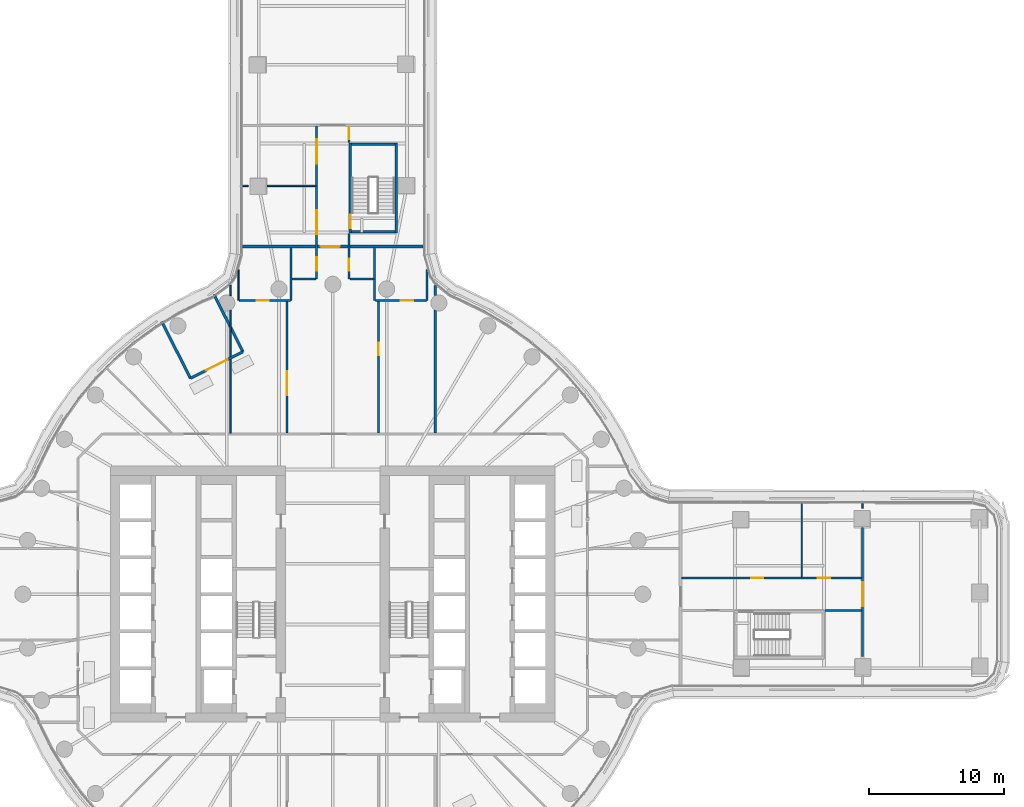
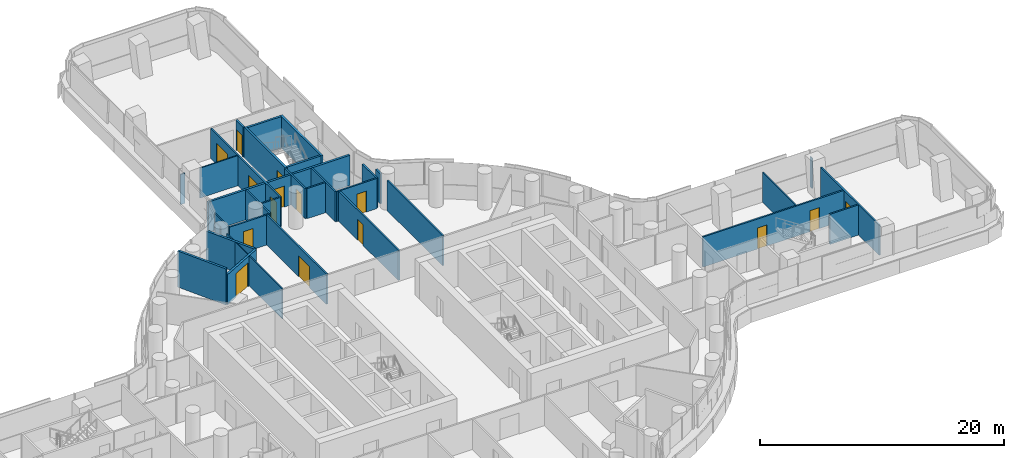
# One storey, part 23 of 32: 32 walls, 15 doors, 15 openings.
"""IFC4 building model written with IfcOpenShell, lengths in metres."""

from ifc_helpers import new_model, si_unit, direction, frame, frame_2d, origin, place, context, subcontext, project, spatial, polyline, rectangle, outline, extrude, material, layer, layer_set, type_object, element, fill, save


model = new_model("IFC4")

# Units and contexts
model_context = context("Model", 3, precision=1e-05, world=origin(), true_north=direction((0.0, 1.0)))
body_context = subcontext(model_context, "Body", "Model", "MODEL_VIEW")
ifc_project = project(units=[si_unit("LENGTHUNIT", "METRE"), si_unit("AREAUNIT", "SQUARE_METRE"), si_unit("VOLUMEUNIT", "CUBIC_METRE"), si_unit("PLANEANGLEUNIT", "RADIAN"), si_unit("MASSUNIT", "GRAM", prefix="KILO")], contexts=[model_context])

# Site, building, storey
site_placement = place(None, origin())
site = spatial("IfcSite", under=ifc_project, at=site_placement, CompositionType="ELEMENT")
building_placement = place(site_placement, origin())
building = spatial("IfcBuilding", under=site, at=building_placement, Name="Tamarind Cross Interchange Tower", CompositionType="ELEMENT")
storey_placement = place(building_placement, frame((0.0, 0.0, 34.0)))
storey = spatial("IfcBuildingStorey", under=building, at=storey_placement, Name="L06", CompositionType="ELEMENT", Elevation=34.0)

# Wall, opening, door
ifc_material_1 = material(Name="Concrete C40", Category="concrete")
ifc_layer_1 = layer(ifc_material_1, 0.199951171875)
ifc_layer_set_1 = layer_set([ifc_layer_1], Name="Concrete C40")
wall_type_1 = type_object("IfcWallType", Name="Balcony and garden door wall", PredefinedType="SOLIDWALL", material=ifc_layer_set_1)
wall_1_placement = place(storey_placement, frame((-6.669677734375, 17.99365234375, 0.0), z_axis=(0.0, 0.0, 1.0), x_axis=(-0.892213621069, -0.451613611818, 0.0)))
wall_1 = element("IfcWall", 1, at=wall_1_placement, inside=storey, type_object=wall_type_1, Name="EXW-L06-WG-L06-NW", PredefinedType="SOLIDWALL", context=body_context, shape_type="SweptSolid", body=[
    extrude(rectangle(XDim=4.366943359375, YDim=0.199951171875, at=frame_2d((2.18359375, 0.0))), origin(), (0.0, 0.0, 1.0), 3.013916015625),
])
opening_1_placement = place(wall_1_placement, frame((1.283447265625, 0.0, 0.0)))
opening_1 = element("IfcOpeningElement", 2, at=opening_1_placement, cuts=wall_1, Name="Opening D5", PredefinedType="OPENING", context=body_context, shape_type="SweptSolid", body=[
    extrude(rectangle(XDim=1.800048828125, YDim=2.39990234375, at=frame_2d((0.89990234375, 1.199951171875))), frame((0.0, 0.10986328125, 0.0), z_axis=(0.0, -1.0, 0.0), x_axis=(1.0, 0.0, 0.0)), (0.0, 0.0, 1.0), 0.219970703125),
])
ifc_material_2 = material(Name="Aluminium and toughened glass", Category="aluminium")
door_type_1 = type_object("IfcDoorType", Name="Roof garden door", OperationType="DOUBLE_DOOR_SINGLE_SWING", PredefinedType="DOOR", material=ifc_material_2)
door_1_placement = place(opening_1_placement, origin())
door_1 = element("IfcDoor", 3, at=door_1_placement, inside=storey, type_object=door_type_1, Name="DOR-L06-WG-L06-NW", OperationType="SINGLE_SWING_LEFT", OverallHeight=2.39990234375, OverallWidth=1.800048828125, PredefinedType="DOOR", context=body_context, shape_type="SweptSolid", body=[
    extrude(rectangle(XDim=1.800048828125, YDim=2.39990234375, at=frame_2d((0.89990234375, 1.199951171875))), frame((0.0, 0.02490234375, 0.0), z_axis=(0.0, -1.0, 0.0), x_axis=(1.0, 0.0, 0.0)), (0.0, 0.0, 1.0), 0.050048828125),
])
fill(opening_1, door_1)

# Walls
wall_2_placement = place(storey_placement, frame((-6.66943359375, 17.99365234375, 0.0), z_axis=(0.0, 0.0, 1.0), x_axis=(-0.451625718362, 0.892207492971, 0.0)))
element("IfcWall", 4, at=wall_2_placement, inside=storey, type_object=wall_type_1, Name="EXW-L06-WG-L06-NW-R0", PredefinedType="SOLIDWALL", context=body_context, shape_type="SweptSolid", body=[
    extrude(rectangle(XDim=4.77490234375, YDim=0.199951171875, at=frame_2d((2.387451171875, 0.0))), origin(), (0.0, 0.0, 1.0), 3.013916015625),
])
wall_3_placement = place(storey_placement, frame((-10.56591796875, 16.021484375, 0.0), z_axis=(0.0, 0.0, 1.0), x_axis=(-0.451621797864, 0.892209477474, 0.0)))
element("IfcWall", 5, at=wall_3_placement, inside=storey, type_object=wall_type_1, Name="EXW-L06-WG-L06-NW-R1", PredefinedType="SOLIDWALL", context=body_context, shape_type="SweptSolid", body=[
    extrude(rectangle(XDim=4.712890625, YDim=0.199951171875, at=frame_2d((2.3564453125, 0.0))), origin(), (0.0, 0.0, 1.0), 3.610107421875),
])
ifc_material_3 = material(Name="Gypsum board partition on steel studs", Category="steel")
ifc_layer_2 = layer(ifc_material_3, 0.10009765625)
ifc_layer_set_2 = layer_set([ifc_layer_2], Name="Gypsum board partition on steel studs")
wall_type_2 = type_object("IfcWallType", Name="Partition 100 mm EI 90", PredefinedType="PARTITIONING", material=ifc_layer_set_2)
wall_4_placement = place(storey_placement, frame((-6.698974609375, 30.300048828125, 0.0), z_axis=(0.0, 0.0, 1.0), x_axis=(1.0, 0.0, 0.0)))
element("IfcWall", 6, at=wall_4_placement, inside=storey, type_object=wall_type_2, Name="Partition L06-034", PredefinedType="PARTITIONING", context=body_context, shape_type="SweptSolid", body=[
    extrude(rectangle(XDim=0.407470703125, YDim=0.10009765625, at=frame_2d((0.20361328125, 0.0))), origin(), (0.0, 0.0, 1.0), 3.010009765625),
])
wall_5_placement = place(storey_placement, frame((-4.85888671875, 30.300048828125, 0.0), z_axis=(0.0, 0.0, 1.0), x_axis=(1.0, 0.0, 0.0)))
element("IfcWall", 7, at=wall_5_placement, inside=storey, type_object=wall_type_2, Name="Partition L06-035", PredefinedType="PARTITIONING", context=body_context, shape_type="SweptSolid", body=[
    extrude(rectangle(XDim=3.598876953125, YDim=0.10009765625, at=frame_2d((1.79931640625, 0.0))), origin(), (0.0, 0.0, 1.0), 3.010009765625),
])
wall_6_placement = place(storey_placement, frame((-7.60009765625, 11.955078125, 0.0), z_axis=(0.0, 0.0, 1.0), x_axis=(0.0, 1.0, 0.0)))
element("IfcWall", 8, at=wall_6_placement, inside=storey, type_object=wall_type_2, Name="Partition L06-054", PredefinedType="PARTITIONING", context=body_context, shape_type="SweptSolid", body=[
    extrude(rectangle(XDim=9.119140625, YDim=0.10009765625, at=frame_2d((4.5595703125, 0.0))), origin(), (0.0, 0.0, 1.0), 3.010009765625),
])
wall_7_placement = place(storey_placement, frame((-7.60009765625, 22.151611328125, 0.0), z_axis=(0.0, 0.0, 1.0), x_axis=(0.0, 1.0, 0.0)))
element("IfcWall", 9, at=wall_7_placement, inside=storey, type_object=wall_type_2, Name="Partition L06-055", PredefinedType="PARTITIONING", context=body_context, shape_type="SweptSolid", body=[
    extrude(rectangle(XDim=0.770263671875, YDim=0.10009765625, at=frame_2d((0.38525390625, 0.0))), origin(), (0.0, 0.0, 1.0), 3.010009765625),
])
wall_8_placement = place(storey_placement, frame((-7.0, 21.800048828125, 0.0), z_axis=(0.0, 0.0, 1.0), x_axis=(0.0, 1.0, 0.0)))
element("IfcWall", 10, at=wall_8_placement, inside=storey, type_object=wall_type_2, Name="Partition L06-056", PredefinedType="PARTITIONING", context=body_context, shape_type="SweptSolid", body=[
    extrude(rectangle(XDim=2.2919921875, YDim=0.10009765625, at=frame_2d((1.14599609375, 0.0))), origin(), (0.0, 0.0, 1.0), 3.010009765625),
])
wall_9_placement = place(storey_placement, frame((34.800048828125, 1.260009765625, 0.0), z_axis=(0.0, 0.0, 1.0), x_axis=(0.0, 1.0, 0.0)))
element("IfcWall", 11, at=wall_9_placement, inside=storey, type_object=wall_type_2, Name="Partition L06-079", PredefinedType="PARTITIONING", context=body_context, shape_type="SweptSolid", body=[
    extrude(rectangle(XDim=5.4638671875, YDim=0.10009765625, at=frame_2d((2.73193359375, 0.0))), origin(), (0.0, 0.0, 1.0), 3.010009765625),
])
wall_10_placement = place(storey_placement, frame((39.300048828125, 6.373291015625, 0.0), z_axis=(0.0, 0.0, 1.0), x_axis=(0.0, 1.0, 0.0)))
element("IfcWall", 12, at=wall_10_placement, inside=storey, type_object=wall_type_2, Name="Partition L06-082", PredefinedType="PARTITIONING", context=body_context, shape_type="SweptSolid", body=[
    extrude(rectangle(XDim=0.341796875, YDim=0.10009765625, at=frame_2d((0.1708984375, 0.0))), origin(), (0.0, 0.0, 1.0), 3.010009765625),
])
ifc_layer_3 = layer(ifc_material_3, 0.14990234375)
ifc_layer_set_3 = layer_set([ifc_layer_3], Name="Gypsum board partition on steel studs")
wall_type_3 = type_object("IfcWallType", Name="Partition 150 mm EI 120", PredefinedType="PARTITIONING", material=ifc_layer_set_3)
wall_11_placement = place(storey_placement, frame((36.5400390625, -1.199951171875, 0.0), z_axis=(0.0, 0.0, 1.0), x_axis=(1.0, 0.0, 0.0)))
element("IfcWall", 13, at=wall_11_placement, inside=storey, type_object=wall_type_3, Name="Partition L06-007", PredefinedType="PARTITIONING", context=body_context, shape_type="SweptSolid", body=[
    extrude(rectangle(XDim=2.699951171875, YDim=0.14990234375, at=frame_2d((1.35009765625, 0.0))), origin(), (0.0, 0.0, 1.0), 3.010009765625),
])

# Wall, openings, doors
wall_12_placement = place(storey_placement, frame((25.885009765625, 1.199951171875, 0.0), z_axis=(0.0, 0.0, 1.0), x_axis=(1.0, 0.0, 0.0)))
wall_12 = element("IfcWall", 14, at=wall_12_placement, inside=storey, type_object=wall_type_3, Name="Partition L06-010", PredefinedType="PARTITIONING", context=body_context, shape_type="SweptSolid", body=[
    extrude(rectangle(XDim=13.35498046875, YDim=0.14990234375, at=frame_2d((6.677490234375, 0.0))), origin(), (0.0, 0.0, 1.0), 3.010009765625),
])
opening_2_placement = place(wall_12_placement, frame((5.1650390625, 0.0, 0.0)))
opening_2 = element("IfcOpeningElement", 15, at=opening_2_placement, cuts=wall_12, Name="Opening D05", PredefinedType="OPENING", context=body_context, shape_type="SweptSolid", body=[
    extrude(rectangle(XDim=0.89990234375, YDim=2.10009765625, at=frame_2d((0.449951171875, 1.050048828125))), frame((0.0, 0.0849609375, 0.0), z_axis=(0.0, -1.0, 0.0), x_axis=(1.0, 0.0, 0.0)), (0.0, 0.0, 1.0), 0.169921875),
])
opening_3_placement = place(wall_12_placement, frame((10.114990234375, 0.0, 0.0)))
opening_3 = element("IfcOpeningElement", 16, at=opening_3_placement, cuts=wall_12, Name="Opening D06", PredefinedType="OPENING", context=body_context, shape_type="SweptSolid", body=[
    extrude(rectangle(XDim=0.89990234375, YDim=2.10009765625, at=frame_2d((0.449951171875, 1.050048828125))), frame((0.0, 0.0849609375, 0.0), z_axis=(0.0, -1.0, 0.0), x_axis=(1.0, 0.0, 0.0)), (0.0, 0.0, 1.0), 0.169921875),
])
ifc_material_4 = material(Name="Fire-resisting door set")
door_type_2 = type_object("IfcDoorType", Name="Interior door 900 x 2100 FD60S", OperationType="SINGLE_SWING_LEFT", PredefinedType="DOOR", material=ifc_material_4)
door_2_placement = place(opening_2_placement, origin())
door_2 = element("IfcDoor", 17, at=door_2_placement, inside=storey, type_object=door_type_2, Name="Door D05", OperationType="SINGLE_SWING_RIGHT", OverallHeight=2.10009765625, OverallWidth=0.89990234375, PredefinedType="DOOR", context=body_context, shape_type="SweptSolid", body=[
    extrude(rectangle(XDim=0.89990234375, YDim=2.10009765625, at=frame_2d((0.449951171875, 1.050048828125))), frame((0.0, 0.02490234375, 0.0), z_axis=(0.0, -1.0, 0.0), x_axis=(1.0, 0.0, 0.0)), (0.0, 0.0, 1.0), 0.050048828125),
])
fill(opening_2, door_2)
door_3_placement = place(opening_3_placement, origin())
door_3 = element("IfcDoor", 18, at=door_3_placement, inside=storey, type_object=door_type_2, Name="Door D06", OperationType="SINGLE_SWING_LEFT", OverallHeight=2.10009765625, OverallWidth=0.89990234375, PredefinedType="DOOR", context=body_context, shape_type="SweptSolid", body=[
    extrude(rectangle(XDim=0.89990234375, YDim=2.10009765625, at=frame_2d((0.449951171875, 1.050048828125))), frame((0.0, 0.02490234375, 0.0), z_axis=(0.0, -1.0, 0.0), x_axis=(1.0, 0.0, 0.0)), (0.0, 0.0, 1.0), 0.050048828125),
])
fill(opening_3, door_3)

# Wall, opening, door
wall_13_placement = place(storey_placement, frame((-6.969970703125, 21.800048828125, 0.0), z_axis=(0.0, 0.0, 1.0), x_axis=(1.0, 0.0, 0.0)))
wall_13 = element("IfcWall", 19, at=wall_13_placement, inside=storey, type_object=wall_type_3, Name="Partition L06-029", PredefinedType="PARTITIONING", context=body_context, shape_type="SweptSolid", body=[
    extrude(rectangle(XDim=3.81005859375, YDim=0.14990234375, at=frame_2d((1.905029296875, 0.0))), origin(), (0.0, 0.0, 1.0), 3.010009765625),
])
opening_4_placement = place(wall_13_placement, frame((1.320068359375, 0.0, 0.0)))
opening_4 = element("IfcOpeningElement", 20, at=opening_4_placement, cuts=wall_13, Name="Opening D13", PredefinedType="OPENING", context=body_context, shape_type="SweptSolid", body=[
    extrude(rectangle(XDim=0.89990234375, YDim=2.10009765625, at=frame_2d((0.449951171875, 1.050048828125))), frame((0.0, 0.0849609375, 0.0), z_axis=(0.0, -1.0, 0.0), x_axis=(1.0, 0.0, 0.0)), (0.0, 0.0, 1.0), 0.169921875),
])
door_4_placement = place(opening_4_placement, origin())
door_4 = element("IfcDoor", 21, at=door_4_placement, inside=storey, type_object=door_type_2, Name="Door D13", OperationType="SINGLE_SWING_RIGHT", OverallHeight=2.10009765625, OverallWidth=0.89990234375, PredefinedType="DOOR", context=body_context, shape_type="SweptSolid", body=[
    extrude(rectangle(XDim=0.89990234375, YDim=2.10009765625, at=frame_2d((0.449951171875, 1.050048828125))), frame((0.0, 0.02490234375, 0.0), z_axis=(0.0, -1.0, 0.0), x_axis=(1.0, 0.0, 0.0)), (0.0, 0.0, 1.0), 0.050048828125),
])
fill(opening_4, door_4)

wall_14_placement = place(storey_placement, frame((3.159912109375, 21.800048828125, 0.0), z_axis=(0.0, 0.0, 1.0), x_axis=(1.0, 0.0, 0.0)))
wall_14 = element("IfcWall", 22, at=wall_14_placement, inside=storey, type_object=wall_type_3, Name="Partition L06-030", PredefinedType="PARTITIONING", context=body_context, shape_type="SweptSolid", body=[
    extrude(rectangle(XDim=3.780029296875, YDim=0.14990234375, at=frame_2d((1.89013671875, 0.0))), origin(), (0.0, 0.0, 1.0), 3.010009765625),
])
opening_5_placement = place(wall_14_placement, frame((1.889892578125, 0.0, 0.0)))
opening_5 = element("IfcOpeningElement", 23, at=opening_5_placement, cuts=wall_14, Name="Opening D14", PredefinedType="OPENING", context=body_context, shape_type="SweptSolid", body=[
    extrude(rectangle(XDim=0.89990234375, YDim=2.10009765625, at=frame_2d((0.449951171875, 1.050048828125))), frame((0.0, 0.0849609375, 0.0), z_axis=(0.0, -1.0, 0.0), x_axis=(1.0, 0.0, 0.0)), (0.0, 0.0, 1.0), 0.169921875),
])
door_5_placement = place(opening_5_placement, origin())
door_5 = element("IfcDoor", 24, at=door_5_placement, inside=storey, type_object=door_type_2, Name="Door D14", OperationType="SINGLE_SWING_LEFT", OverallHeight=2.10009765625, OverallWidth=0.89990234375, PredefinedType="DOOR", context=body_context, shape_type="SweptSolid", body=[
    extrude(rectangle(XDim=0.89990234375, YDim=2.10009765625, at=frame_2d((0.449951171875, 1.050048828125))), frame((0.0, 0.02490234375, 0.0), z_axis=(0.0, -1.0, 0.0), x_axis=(1.0, 0.0, 0.0)), (0.0, 0.0, 1.0), 0.050048828125),
])
fill(opening_5, door_5)

# Walls
for number, where, z_axis, x_axis, name in (
    (25, (-3.0400390625, 23.39990234375, 0.0), (0.0, 0.0, 1.0), (1.0, 0.0, 0.0), "Partition L06-037"),
    (26, (1.260009765625, 23.39990234375, 0.0), (0.0, 0.0, 1.0), (1.0, 0.0, 0.0), "Partition L06-038"),
):
    element("IfcWall", number, at=place(storey_placement, frame(where, z_axis=z_axis, x_axis=x_axis)), inside=storey, type_object=wall_type_3, Name=name, PredefinedType="PARTITIONING", context=body_context, shape_type="SweptSolid", body=[
        extrude(rectangle(XDim=1.780029296875, YDim=0.14990234375, at=frame_2d((0.89013671875, 0.0))), origin(), (0.0, 0.0, 1.0), 3.010009765625),
    ])

# Wall, opening, door
wall_15_placement = place(storey_placement, frame((-3.39990234375, 11.955078125, 0.0), z_axis=(0.0, 0.0, 1.0), x_axis=(0.0, 1.0, 0.0)))
wall_15 = element("IfcWall", 27, at=wall_15_placement, inside=storey, type_object=wall_type_3, Name="Partition L06-059", PredefinedType="PARTITIONING", context=body_context, shape_type="SweptSolid", body=[
    extrude(rectangle(XDim=9.7900390625, YDim=0.14990234375, at=frame_2d((4.89501953125, 0.0))), origin(), (0.0, 0.0, 1.0), 3.010009765625),
])
opening_6_placement = place(wall_15_placement, frame((2.794921875, 0.0, 0.0)))
opening_6 = element("IfcOpeningElement", 28, at=opening_6_placement, cuts=wall_15, Name="Opening D25", PredefinedType="OPENING", context=body_context, shape_type="SweptSolid", body=[
    extrude(rectangle(XDim=1.800048828125, YDim=2.10009765625, at=frame_2d((0.89990234375, 1.050048828125))), frame((0.0, 0.0849609375, 0.0), z_axis=(0.0, -1.0, 0.0), x_axis=(1.0, 0.0, 0.0)), (0.0, 0.0, 1.0), 0.169921875),
])
door_type_3 = type_object("IfcDoorType", Name="Interior door 1800 x 2100 FD60S", OperationType="DOUBLE_DOOR_SINGLE_SWING", PredefinedType="DOOR", material=ifc_material_4)
door_6_placement = place(opening_6_placement, origin())
door_6 = element("IfcDoor", 29, at=door_6_placement, inside=storey, type_object=door_type_3, Name="Door D25", OperationType="DOUBLE_DOOR_SINGLE_SWING", OverallHeight=2.10009765625, OverallWidth=1.800048828125, PredefinedType="DOOR", context=body_context, shape_type="SweptSolid", body=[
    extrude(rectangle(XDim=1.800048828125, YDim=2.10009765625, at=frame_2d((0.89990234375, 1.050048828125))), frame((0.0, 0.02490234375, 0.0), z_axis=(0.0, -1.0, 0.0), x_axis=(1.0, 0.0, 0.0)), (0.0, 0.0, 1.0), 0.050048828125),
])
fill(opening_6, door_6)

# Wall
wall_16_placement = place(storey_placement, frame((-3.10009765625, 21.800048828125, 0.0), z_axis=(0.0, 0.0, 1.0), x_axis=(0.0, 1.0, 0.0)))
element("IfcWall", 30, at=wall_16_placement, inside=storey, type_object=wall_type_3, Name="Partition L06-060", PredefinedType="PARTITIONING", context=body_context, shape_type="SweptSolid", body=[
    extrude(rectangle(XDim=3.9150390625, YDim=0.14990234375, at=frame_2d((1.95751953125, 0.0))), origin(), (0.0, 0.0, 1.0), 3.010009765625),
])

# Wall, openings, doors
wall_17_placement = place(storey_placement, frame((-1.199951171875, 23.39990234375, 0.0), z_axis=(0.0, 0.0, 1.0), x_axis=(0.0, 1.0, 0.0)))
wall_17 = element("IfcWall", 31, at=wall_17_placement, inside=storey, type_object=wall_type_3, Name="Partition L06-063", PredefinedType="PARTITIONING", context=body_context, shape_type="SweptSolid", body=[
    extrude(rectangle(XDim=11.340087890625, YDim=0.14990234375, at=frame_2d((5.669921875, 0.0))), origin(), (0.0, 0.0, 1.0), 3.010009765625),
])
opening_7_placement = place(wall_17_placement, frame((0.60009765625, 0.0, 0.0)))
opening_7 = element("IfcOpeningElement", 32, at=opening_7_placement, cuts=wall_17, Name="Opening D27", PredefinedType="OPENING", context=body_context, shape_type="SweptSolid", body=[
    extrude(rectangle(XDim=1.0, YDim=2.10009765625, at=frame_2d((0.5, 1.050048828125))), frame((0.0, 0.0849609375, 0.0), z_axis=(0.0, -1.0, 0.0), x_axis=(1.0, 0.0, 0.0)), (0.0, 0.0, 1.0), 0.169921875),
])
opening_8_placement = place(wall_17_placement, frame((8.550048828125, 0.0, 0.0)))
opening_8 = element("IfcOpeningElement", 33, at=opening_8_placement, cuts=wall_17, Name="Opening D28", PredefinedType="OPENING", context=body_context, shape_type="SweptSolid", body=[
    extrude(rectangle(XDim=1.800048828125, YDim=2.10009765625, at=frame_2d((0.89990234375, 1.050048828125))), frame((0.0, 0.0849609375, 0.0), z_axis=(0.0, -1.0, 0.0), x_axis=(1.0, 0.0, 0.0)), (0.0, 0.0, 1.0), 0.169921875),
])
opening_9_placement = place(wall_17_placement, frame((3.300048828125, 0.0, 0.0)))
opening_9 = element("IfcOpeningElement", 34, at=opening_9_placement, cuts=wall_17, Name="Opening D29", PredefinedType="OPENING", context=body_context, shape_type="SweptSolid", body=[
    extrude(rectangle(XDim=1.800048828125, YDim=2.10009765625, at=frame_2d((0.89990234375, 1.050048828125))), frame((0.0, 0.0849609375, 0.0), z_axis=(0.0, -1.0, 0.0), x_axis=(1.0, 0.0, 0.0)), (0.0, 0.0, 1.0), 0.169921875),
])
door_type_4 = type_object("IfcDoorType", Name="Interior door 1000 x 2100 FD60S", OperationType="SINGLE_SWING_LEFT", PredefinedType="DOOR", material=ifc_material_4)
door_7_placement = place(opening_7_placement, origin())
door_7 = element("IfcDoor", 35, at=door_7_placement, inside=storey, type_object=door_type_4, Name="Door D27", OperationType="SINGLE_SWING_RIGHT", OverallHeight=2.10009765625, OverallWidth=1.0, PredefinedType="DOOR", context=body_context, shape_type="SweptSolid", body=[
    extrude(rectangle(XDim=1.0, YDim=2.10009765625, at=frame_2d((0.5, 1.050048828125))), frame((0.0, 0.02490234375, 0.0), z_axis=(0.0, -1.0, 0.0), x_axis=(1.0, 0.0, 0.0)), (0.0, 0.0, 1.0), 0.050048828125),
])
fill(opening_7, door_7)
door_8_placement = place(opening_8_placement, origin())
door_8 = element("IfcDoor", 36, at=door_8_placement, inside=storey, type_object=door_type_3, Name="Door D28", OperationType="DOUBLE_DOOR_SINGLE_SWING", OverallHeight=2.10009765625, OverallWidth=1.800048828125, PredefinedType="DOOR", context=body_context, shape_type="SweptSolid", body=[
    extrude(rectangle(XDim=1.800048828125, YDim=2.10009765625, at=frame_2d((0.89990234375, 1.050048828125))), frame((0.0, 0.02490234375, 0.0), z_axis=(0.0, -1.0, 0.0), x_axis=(1.0, 0.0, 0.0)), (0.0, 0.0, 1.0), 0.050048828125),
])
fill(opening_8, door_8)
door_9_placement = place(opening_9_placement, origin())
door_9 = element("IfcDoor", 37, at=door_9_placement, inside=storey, type_object=door_type_3, Name="Door D29", OperationType="DOUBLE_DOOR_SINGLE_SWING", OverallHeight=2.10009765625, OverallWidth=1.800048828125, PredefinedType="DOOR", context=body_context, shape_type="SweptSolid", body=[
    extrude(rectangle(XDim=1.800048828125, YDim=2.10009765625, at=frame_2d((0.89990234375, 1.050048828125))), frame((0.0, 0.02490234375, 0.0), z_axis=(0.0, -1.0, 0.0), x_axis=(1.0, 0.0, 0.0)), (0.0, 0.0, 1.0), 0.050048828125),
])
fill(opening_9, door_9)

# Wall, opening, door
wall_18_placement = place(storey_placement, frame((1.199951171875, 23.39990234375, 0.0), z_axis=(0.0, 0.0, 1.0), x_axis=(0.0, 1.0, 0.0)))
wall_18 = element("IfcWall", 38, at=wall_18_placement, inside=storey, type_object=wall_type_3, Name="Partition L06-065", PredefinedType="PARTITIONING", context=body_context, shape_type="SweptSolid", body=[
    extrude(rectangle(XDim=3.360107421875, YDim=0.14990234375, at=frame_2d((1.68017578125, 0.0))), origin(), (0.0, 0.0, 1.0), 3.010009765625),
])
opening_10_placement = place(wall_18_placement, frame((0.60009765625, 0.0, 0.0)))
opening_10 = element("IfcOpeningElement", 39, at=opening_10_placement, cuts=wall_18, Name="Opening D32", PredefinedType="OPENING", context=body_context, shape_type="SweptSolid", body=[
    extrude(rectangle(XDim=0.89990234375, YDim=2.10009765625, at=frame_2d((0.449951171875, 1.050048828125))), frame((0.0, 0.0849609375, 0.0), z_axis=(0.0, -1.0, 0.0), x_axis=(1.0, 0.0, 0.0)), (0.0, 0.0, 1.0), 0.169921875),
])
door_10_placement = place(opening_10_placement, frame((0.89990234375, 0.0, 0.0), z_axis=(0.0, 0.0, 1.0), x_axis=(-1.0, 0.0, 0.0)))
door_10 = element("IfcDoor", 40, at=door_10_placement, inside=storey, type_object=door_type_2, Name="Door D32", OperationType="SINGLE_SWING_LEFT", OverallHeight=2.10009765625, OverallWidth=0.89990234375, PredefinedType="DOOR", context=body_context, shape_type="SweptSolid", body=[
    extrude(rectangle(XDim=0.89990234375, YDim=2.10009765625, at=frame_2d((0.449951171875, 1.050048828125))), frame((0.0, 0.02490234375, 0.0), z_axis=(0.0, -1.0, 0.0), x_axis=(1.0, 0.0, 0.0)), (0.0, 0.0, 1.0), 0.050048828125),
])
fill(opening_10, door_10)

wall_19_placement = place(storey_placement, frame((1.199951171875, 33.5400390625, 0.0), z_axis=(0.0, 0.0, 1.0), x_axis=(0.0, 1.0, 0.0)))
wall_19 = element("IfcWall", 41, at=wall_19_placement, inside=storey, type_object=wall_type_3, Name="Partition L06-066", PredefinedType="PARTITIONING", context=body_context, shape_type="SweptSolid", body=[
    extrude(rectangle(XDim=1.199951171875, YDim=0.14990234375, at=frame_2d((0.60009765625, 0.0))), origin(), (0.0, 0.0, 1.0), 3.010009765625),
])
opening_11_placement = place(wall_19_placement, frame((0.2099609375, 0.0, 0.0)))
opening_11 = element("IfcOpeningElement", 42, at=opening_11_placement, cuts=wall_19, Name="Opening D33", PredefinedType="OPENING", context=body_context, shape_type="SweptSolid", body=[
    extrude(rectangle(XDim=0.89990234375, YDim=2.10009765625, at=frame_2d((0.449951171875, 1.050048828125))), frame((0.0, 0.0849609375, 0.0), z_axis=(0.0, -1.0, 0.0), x_axis=(1.0, 0.0, 0.0)), (0.0, 0.0, 1.0), 0.169921875),
])
door_11_placement = place(opening_11_placement, frame((0.89990234375, 0.0, 0.0), z_axis=(0.0, 0.0, 1.0), x_axis=(-1.0, 0.0, 0.0)))
door_11 = element("IfcDoor", 43, at=door_11_placement, inside=storey, type_object=door_type_2, Name="Door D33", OperationType="SINGLE_SWING_RIGHT", OverallHeight=2.10009765625, OverallWidth=0.89990234375, PredefinedType="DOOR", context=body_context, shape_type="SweptSolid", body=[
    extrude(rectangle(XDim=0.89990234375, YDim=2.10009765625, at=frame_2d((0.449951171875, 1.050048828125))), frame((0.0, 0.02490234375, 0.0), z_axis=(0.0, -1.0, 0.0), x_axis=(1.0, 0.0, 0.0)), (0.0, 0.0, 1.0), 0.050048828125),
])
fill(opening_11, door_11)

# Wall
wall_20_placement = place(storey_placement, frame((3.10009765625, 21.800048828125, 0.0), z_axis=(0.0, 0.0, 1.0), x_axis=(0.0, 1.0, 0.0)))
element("IfcWall", 44, at=wall_20_placement, inside=storey, type_object=wall_type_3, Name="Partition L06-067", PredefinedType="PARTITIONING", context=body_context, shape_type="SweptSolid", body=[
    extrude(rectangle(XDim=3.9150390625, YDim=0.14990234375, at=frame_2d((1.95751953125, 0.0))), origin(), (0.0, 0.0, 1.0), 3.010009765625),
])

# Wall, opening, door
wall_21_placement = place(storey_placement, frame((3.39990234375, 11.955078125, 0.0), z_axis=(0.0, 0.0, 1.0), x_axis=(0.0, 1.0, 0.0)))
wall_21 = element("IfcWall", 45, at=wall_21_placement, inside=storey, type_object=wall_type_3, Name="Partition L06-070", PredefinedType="PARTITIONING", context=body_context, shape_type="SweptSolid", body=[
    extrude(rectangle(XDim=9.7900390625, YDim=0.14990234375, at=frame_2d((4.89501953125, 0.0))), origin(), (0.0, 0.0, 1.0), 3.010009765625),
])
opening_12_placement = place(wall_21_placement, frame((5.794921875, 0.0, 0.0)))
opening_12 = element("IfcOpeningElement", 46, at=opening_12_placement, cuts=wall_21, Name="Opening D35", PredefinedType="OPENING", context=body_context, shape_type="SweptSolid", body=[
    extrude(rectangle(XDim=0.89990234375, YDim=2.10009765625, at=frame_2d((0.449951171875, 1.050048828125))), frame((0.0, 0.0849609375, 0.0), z_axis=(0.0, -1.0, 0.0), x_axis=(1.0, 0.0, 0.0)), (0.0, 0.0, 1.0), 0.169921875),
])
door_12_placement = place(opening_12_placement, frame((0.89990234375, 0.0, 0.0), z_axis=(0.0, 0.0, 1.0), x_axis=(-1.0, 0.0, 0.0)))
door_12 = element("IfcDoor", 47, at=door_12_placement, inside=storey, type_object=door_type_2, Name="Door D35", OperationType="SINGLE_SWING_RIGHT", OverallHeight=2.10009765625, OverallWidth=0.89990234375, PredefinedType="DOOR", context=body_context, shape_type="SweptSolid", body=[
    extrude(rectangle(XDim=0.89990234375, YDim=2.10009765625, at=frame_2d((0.449951171875, 1.050048828125))), frame((0.0, 0.02490234375, 0.0), z_axis=(0.0, -1.0, 0.0), x_axis=(1.0, 0.0, 0.0)), (0.0, 0.0, 1.0), 0.050048828125),
])
fill(opening_12, door_12)

# Walls
wall_22_placement = place(storey_placement, frame((7.0, 21.800048828125, 0.0), z_axis=(0.0, 0.0, 1.0), x_axis=(0.0, 1.0, 0.0)))
element("IfcWall", 48, at=wall_22_placement, inside=storey, type_object=wall_type_3, Name="Partition L06-071", PredefinedType="PARTITIONING", context=body_context, shape_type="SweptSolid", body=[
    extrude(rectangle(XDim=2.2919921875, YDim=0.14990234375, at=frame_2d((1.14599609375, 0.0))), origin(), (0.0, 0.0, 1.0), 3.010009765625),
])
wall_23_placement = place(storey_placement, frame((7.60009765625, 11.955078125, 0.0), z_axis=(0.0, 0.0, 1.0), x_axis=(0.0, 1.0, 0.0)))
element("IfcWall", 49, at=wall_23_placement, inside=storey, type_object=wall_type_3, Name="Partition L06-074", PredefinedType="PARTITIONING", context=body_context, shape_type="SweptSolid", body=[
    extrude(rectangle(XDim=9.119140625, YDim=0.14990234375, at=frame_2d((4.5595703125, 0.0))), origin(), (0.0, 0.0, 1.0), 3.010009765625),
])
wall_24_placement = place(storey_placement, frame((7.60009765625, 22.151611328125, 0.0), z_axis=(0.0, 0.0, 1.0), x_axis=(0.0, 1.0, 0.0)))
element("IfcWall", 50, at=wall_24_placement, inside=storey, type_object=wall_type_3, Name="Partition L06-075", PredefinedType="PARTITIONING", context=body_context, shape_type="SweptSolid", body=[
    extrude(rectangle(XDim=0.76904296875, YDim=0.14990234375, at=frame_2d((0.384521484375, 0.0))), origin(), (0.0, 0.0, 1.0), 3.010009765625),
])

# Wall, opening, door
wall_25_placement = place(storey_placement, frame((39.300048828125, -4.625, 0.0), z_axis=(0.0, 0.0, 1.0), x_axis=(0.0, 1.0, 0.0)))
wall_25 = element("IfcWall", 51, at=wall_25_placement, inside=storey, type_object=wall_type_3, Name="Partition L06-081", PredefinedType="PARTITIONING", context=body_context, shape_type="SweptSolid", body=[
    extrude(rectangle(XDim=9.566162109375, YDim=0.14990234375, at=frame_2d((4.783203125, 0.0))), origin(), (0.0, 0.0, 1.0), 3.010009765625),
])
opening_13_placement = place(wall_25_placement, frame((3.724853515625, 0.0, 0.0)))
opening_13 = element("IfcOpeningElement", 52, at=opening_13_placement, cuts=wall_25, Name="Opening D40", PredefinedType="OPENING", context=body_context, shape_type="SweptSolid", body=[
    extrude(rectangle(XDim=1.800048828125, YDim=2.10009765625, at=frame_2d((0.89990234375, 1.050048828125))), frame((0.0, 0.0849609375, 0.0), z_axis=(0.0, -1.0, 0.0), x_axis=(1.0, 0.0, 0.0)), (0.0, 0.0, 1.0), 0.169921875),
])
door_13_placement = place(opening_13_placement, origin())
door_13 = element("IfcDoor", 53, at=door_13_placement, inside=storey, type_object=door_type_3, Name="Door D40", OperationType="DOUBLE_DOOR_SINGLE_SWING", OverallHeight=2.10009765625, OverallWidth=1.800048828125, PredefinedType="DOOR", context=body_context, shape_type="SweptSolid", body=[
    extrude(rectangle(XDim=1.800048828125, YDim=2.10009765625, at=frame_2d((0.89990234375, 1.050048828125))), frame((0.0, 0.02490234375, 0.0), z_axis=(0.0, -1.0, 0.0), x_axis=(1.0, 0.0, 0.0)), (0.0, 0.0, 1.0), 0.050048828125),
])
fill(opening_13, door_13)

ifc_layer_4 = layer(ifc_material_3, 0.199951171875)
ifc_layer_set_4 = layer_set([ifc_layer_4], Name="Gypsum board partition on steel studs")
wall_type_4 = type_object("IfcWallType", Name="Partition 200 mm EI 180", PredefinedType="PARTITIONING", material=ifc_layer_set_4)
wall_26_placement = place(storey_placement, frame((-6.698974609375, 25.800048828125, 0.0), z_axis=(0.0, 0.0, 1.0), x_axis=(1.0, 0.0, 0.0)))
wall_26 = element("IfcWall", 54, at=wall_26_placement, inside=storey, type_object=wall_type_4, Name="Partition L06-033", PredefinedType="PARTITIONING", context=body_context, shape_type="SweptSolid", body=[
    extrude(rectangle(XDim=13.39794921875, YDim=0.199951171875, at=frame_2d((6.698974609375, 0.0))), origin(), (0.0, 0.0, 1.0), 3.010009765625),
])
opening_14_placement = place(wall_26_placement, frame((5.799072265625, 0.0, 0.0)))
opening_14 = element("IfcOpeningElement", 55, at=opening_14_placement, cuts=wall_26, Name="Opening D17", PredefinedType="OPENING", context=body_context, shape_type="SweptSolid", body=[
    extrude(rectangle(XDim=1.39990234375, YDim=2.10009765625, at=frame_2d((0.699951171875, 1.050048828125))), frame((0.0, 0.10986328125, 0.0), z_axis=(0.0, -1.0, 0.0), x_axis=(1.0, 0.0, 0.0)), (0.0, 0.0, 1.0), 0.219970703125),
])
door_type_5 = type_object("IfcDoorType", Name="Interior door 1400 x 2100 FD120S", OperationType="DOUBLE_DOOR_SINGLE_SWING", PredefinedType="DOOR", material=ifc_material_4)
door_14_placement = place(opening_14_placement, frame((1.39990234375, 0.0, 0.0), z_axis=(0.0, 0.0, 1.0), x_axis=(-1.0, 0.0, 0.0)))
door_14 = element("IfcDoor", 56, at=door_14_placement, inside=storey, type_object=door_type_5, Name="Door D17", OperationType="DOUBLE_DOOR_SINGLE_SWING", OverallHeight=2.10009765625, OverallWidth=1.39990234375, PredefinedType="DOOR", context=body_context, shape_type="SweptSolid", body=[
    extrude(rectangle(XDim=1.39990234375, YDim=2.10009765625, at=frame_2d((0.699951171875, 1.050048828125))), frame((0.0, 0.02490234375, 0.0), z_axis=(0.0, -1.0, 0.0), x_axis=(1.0, 0.0, 0.0)), (0.0, 0.0, 1.0), 0.050048828125),
])
fill(opening_14, door_14)

ifc_layer_5 = layer(ifc_material_1, 0.199951171875)
ifc_layer_set_5 = layer_set([ifc_layer_5], Name="Concrete C40")
wall_type_5 = type_object("IfcWallType", Name="Stair shaft wall 200 mm Concrete C40", PredefinedType="SHEAR", material=ifc_layer_set_5)
wall_27_placement = place(storey_placement, frame((1.300048828125, 26.800048828125, -0.139892578125), z_axis=(0.0, 0.0, 1.0), x_axis=(0.0, 1.0, 0.0)))
wall_27 = element("IfcWall", 57, at=wall_27_placement, inside=storey, type_object=wall_type_5, Name="Core wall CWL-L06-ST4-H", PredefinedType="SHEAR", context=body_context, shape_type="SweptSolid", body=[
    extrude(rectangle(XDim=6.699951171875, YDim=0.199951171875, at=frame_2d((3.35009765625, 0.0))), origin(), (0.0, 0.0, 1.0), 3.14990234375),
])
opening_15_placement = place(wall_27_placement, frame((0.35009765625, 0.0, 0.0)))
opening_15 = element("IfcOpeningElement", 58, at=opening_15_placement, cuts=wall_27, Name="Opening ST4L06", PredefinedType="OPENING", context=body_context, shape_type="SweptSolid", body=[
    extrude(rectangle(XDim=1.0, YDim=2.10009765625, at=frame_2d((0.5, 1.050048828125))), frame((0.0, 0.10986328125, 0.0), z_axis=(0.0, -1.0, 0.0), x_axis=(1.0, 0.0, 0.0)), (0.0, 0.0, 1.0), 0.219970703125),
])
ifc_material_5 = material(Name="Steel, fire-resisting", Category="steel")
door_type_6 = type_object("IfcDoorType", Name="Core fire door 1000 x 2100 FD90", OperationType="SINGLE_SWING_LEFT", PredefinedType="DOOR", material=ifc_material_5)
door_15_placement = place(opening_15_placement, origin())
door_15 = element("IfcDoor", 59, at=door_15_placement, inside=storey, type_object=door_type_6, Name="L06 stair door ST4", OperationType="SINGLE_SWING_LEFT", OverallHeight=2.10009765625, OverallWidth=1.0, PredefinedType="DOOR", context=body_context, shape_type="SweptSolid", body=[
    extrude(rectangle(XDim=1.0, YDim=2.10009765625, at=frame_2d((0.5, 1.050048828125))), frame((0.0, 0.02490234375, 0.0), z_axis=(0.0, -1.0, 0.0), x_axis=(1.0, 0.0, 0.0)), (0.0, 0.0, 1.0), 0.050048828125),
])
fill(opening_15, door_15)

# Walls
wall_28_placement = place(storey_placement, frame((4.699951171875, 26.800048828125, -0.139892578125), z_axis=(0.0, 0.0, 1.0), x_axis=(0.0, 1.0, 0.0)))
element("IfcWall", 60, at=wall_28_placement, inside=storey, type_object=wall_type_5, Name="Core wall CWL-L06-ST4-C", PredefinedType="SHEAR", context=body_context, shape_type="SweptSolid", body=[
    extrude(rectangle(XDim=6.699951171875, YDim=0.199951171875, at=frame_2d((3.35009765625, 0.0))), origin(), (0.0, 0.0, 1.0), 3.14990234375),
])
wall_29_placement = place(storey_placement, frame((4.60009765625, 26.89990234375, -0.139892578125), z_axis=(0.0, 0.0, 1.0), x_axis=(-1.0, 0.0, 0.0)))
element("IfcWall", 61, at=wall_29_placement, inside=storey, type_object=wall_type_5, Name="Core wall CWL-L06-ST4-CE", PredefinedType="SHEAR", context=body_context, shape_type="SweptSolid", body=[
    extrude(rectangle(XDim=3.2001953125, YDim=0.199951171875, at=frame_2d((1.60009765625, 0.0))), origin(), (0.0, 0.0, 1.0), 3.14990234375),
])
wall_30_placement = place(storey_placement, frame((0.0, 0.0, -0.139892578125)))
element("IfcWall", 62, at=wall_30_placement, inside=storey, type_object=wall_type_5, Name="Core wall CWL-L06-ST4-CF", PredefinedType="SHEAR", context=body_context, shape_type="SweptSolid", body=[
    extrude(outline(polyline([(4.60009765625, 33.300048828125), (4.60009765625, 33.5), (1.39990234375, 33.5), (1.39990234375, 33.300048828125), (4.60009765625, 33.300048828125)])), origin(), (0.0, 0.0, 1.0), 3.14990234375),
])

save(model, "model.ifc")
